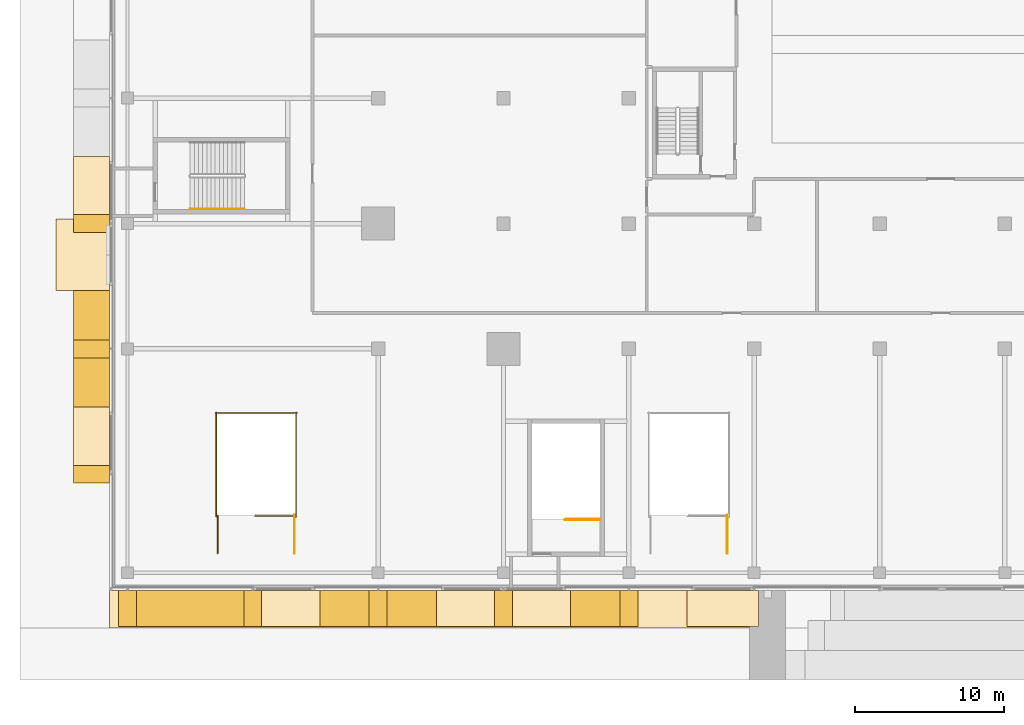
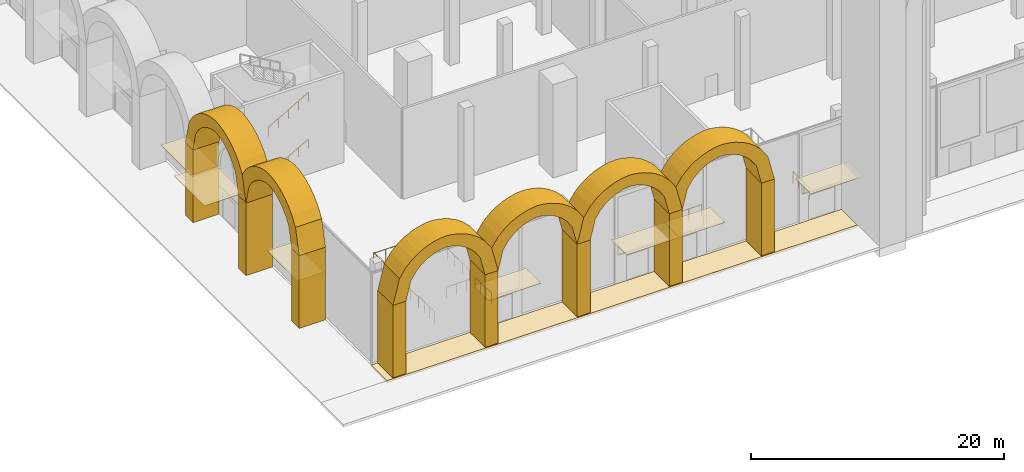
# One storey, part 34 of 43: 22 coverings, 6 railings.
"""IFC4 building model written with IfcOpenShell, lengths in metres."""

from ifc_helpers import new_model, si_unit, direction, frame, origin, origin_2d, place, context, subcontext, project, spatial, polyline, circle, outline, extrude, material, layer, layer_set, type_object, element, save


model = new_model("IFC4")

# Units and contexts
model_context = context("Model", 3, precision=1e-05, world=origin(), true_north=direction((0.0, 1.0)))
body_context = subcontext(model_context, "Body", "Model", "MODEL_VIEW")
ifc_project = project(units=[si_unit("LENGTHUNIT", "METRE"), si_unit("AREAUNIT", "SQUARE_METRE"), si_unit("VOLUMEUNIT", "CUBIC_METRE"), si_unit("PLANEANGLEUNIT", "RADIAN"), si_unit("MASSUNIT", "GRAM", prefix="KILO")], contexts=[model_context])

# Site, building, storey
site_placement = place(None, origin())
site = spatial("IfcSite", under=ifc_project, at=site_placement, CompositionType="ELEMENT")
building_placement = place(site_placement, origin())
building = spatial("IfcBuilding", under=site, at=building_placement, Name="Saffron Gate Tower", CompositionType="ELEMENT")
storey_placement = place(building_placement, origin())
storey = spatial("IfcBuildingStorey", under=building, at=storey_placement, Name="L00", CompositionType="ELEMENT", Elevation=0.0)

# Coverings
ifc_material_1 = material(Name="Cast stone cladding, pale limestone", Category="masonry")
ifc_layer_1 = layer(ifc_material_1, 1.199951171875)
ifc_layer_set_1 = layer_set([ifc_layer_1], Name="AR1 arcade pier")
covering_type_1 = type_object("IfcCoveringType", Name="AR1 arcade pier", PredefinedType="CLADDING", material=ifc_layer_set_1)
covering_1_placement = place(storey_placement, origin())
element("IfcCovering", 1, at=covering_1_placement, inside=storey, type_object=covering_type_1, Name="ARCADE PIER", PredefinedType="CLADDING", context=body_context, shape_type="SweptSolid", body=[
    extrude(outline(polyline([(32.39990234375, 15.60009765625), (33.60009765625, 15.60009765625), (33.60009765625, 13.199951171875), (32.39990234375, 13.199951171875), (32.39990234375, 15.60009765625)])), origin(), (0.0, 0.0, 1.0), 7.0),
])
covering_2_placement = place(storey_placement, origin())
element("IfcCovering", 2, at=covering_2_placement, inside=storey, type_object=covering_type_1, Name="ARCADE PIER", PredefinedType="CLADDING", context=body_context, shape_type="SweptSolid", body=[
    extrude(outline(polyline([(40.800048828125, 15.60009765625), (42.0, 15.60009765625), (42.0, 13.199951171875), (40.800048828125, 13.199951171875), (40.800048828125, 15.60009765625)])), origin(), (0.0, 0.0, 1.0), 7.0),
])
covering_3_placement = place(storey_placement, origin())
element("IfcCovering", 3, at=covering_3_placement, inside=storey, type_object=covering_type_1, Name="ARCADE PIER", PredefinedType="CLADDING", context=body_context, shape_type="SweptSolid", body=[
    extrude(outline(polyline([(49.199951171875, 15.60009765625), (50.39990234375, 15.60009765625), (50.39990234375, 13.199951171875), (49.199951171875, 13.199951171875), (49.199951171875, 15.60009765625)])), origin(), (0.0, 0.0, 1.0), 7.0),
])
covering_4_placement = place(storey_placement, origin())
element("IfcCovering", 4, at=covering_4_placement, inside=storey, type_object=covering_type_1, Name="ARCADE PIER", PredefinedType="CLADDING", context=body_context, shape_type="SweptSolid", body=[
    extrude(outline(polyline([(57.60009765625, 15.60009765625), (58.800048828125, 15.60009765625), (58.800048828125, 13.199951171875), (57.60009765625, 13.199951171875), (57.60009765625, 15.60009765625)])), origin(), (0.0, 0.0, 1.0), 7.0),
])
covering_5_placement = place(storey_placement, origin())
element("IfcCovering", 5, at=covering_5_placement, inside=storey, type_object=covering_type_1, Name="ARCADE PIER", PredefinedType="CLADDING", context=body_context, shape_type="SweptSolid", body=[
    extrude(outline(polyline([(66.0, 15.60009765625), (67.199951171875, 15.60009765625), (67.199951171875, 13.199951171875), (66.0, 13.199951171875), (66.0, 15.60009765625)])), origin(), (0.0, 0.0, 1.0), 7.0),
])
covering_6_placement = place(storey_placement, origin())
element("IfcCovering", 6, at=covering_6_placement, inside=storey, type_object=covering_type_1, Name="ARCADE PIER", PredefinedType="CLADDING", context=body_context, shape_type="SweptSolid", body=[
    extrude(outline(polyline([(31.800048828125, 40.800048828125), (31.800048828125, 39.60009765625), (29.39990234375, 39.60009765625), (29.39990234375, 40.800048828125), (31.800048828125, 40.800048828125)])), origin(), (0.0, 0.0, 1.0), 7.0),
])
covering_7_placement = place(storey_placement, origin())
element("IfcCovering", 7, at=covering_7_placement, inside=storey, type_object=covering_type_1, Name="ARCADE PIER", PredefinedType="CLADDING", context=body_context, shape_type="SweptSolid", body=[
    extrude(outline(polyline([(31.800048828125, 32.39990234375), (31.800048828125, 31.199951171875), (29.39990234375, 31.199951171875), (29.39990234375, 32.39990234375), (31.800048828125, 32.39990234375)])), origin(), (0.0, 0.0, 1.0), 7.0),
])
covering_8_placement = place(storey_placement, origin())
element("IfcCovering", 8, at=covering_8_placement, inside=storey, type_object=covering_type_1, Name="ARCADE PIER", PredefinedType="CLADDING", context=body_context, shape_type="SweptSolid", body=[
    extrude(outline(polyline([(31.800048828125, 24.0), (31.800048828125, 22.800048828125), (29.39990234375, 22.800048828125), (29.39990234375, 24.0), (31.800048828125, 24.0)])), origin(), (0.0, 0.0, 1.0), 7.0),
])
ifc_layer_2 = layer(ifc_material_1, 2.39990234375)
ifc_layer_set_2 = layer_set([ifc_layer_2], Name="AR2 arcade arch")
covering_type_2 = type_object("IfcCoveringType", Name="AR2 arcade arch", PredefinedType="CLADDING", material=ifc_layer_set_2)
covering_9_placement = place(storey_placement, frame((33.60009765625, 13.199951171875, 7.0), z_axis=(0.0, -1.0, 0.0), x_axis=(0.239115028028, 0.0, 0.970991247835)))
element("IfcCovering", 9, at=covering_9_placement, inside=storey, type_object=covering_type_2, Name="ARCADE ARCH", PredefinedType="CLADDING", context=body_context, shape_type="SweptSolid", body=[
    extrude(outline(polyline([(0.0, 0.0), (1.881735228381075, 0.0), (2.646925345116447, -0.2749589311548678), (3.203267002539746, -0.6013486093049456), (3.639420046034304, -0.9573357774965345), (3.990290439579541, -1.334575973358484), (4.272829633319021, -1.7283918862185135), (4.4965783413497675, -2.136685466791156), (4.666988907104446, -2.558114028151451), (4.711758515497717, -3.010482766478218), (4.70324835930731, -3.4762235440027536), (4.63588933971578, -3.956204930829786), (4.500257498010882, -4.452999093065014), (4.279284628664273, -4.970809224560487), (3.938123145388924, -5.518216846097472), (3.3881715804938914, -6.117292273039781), (1.721616526260766, -6.991089572726843), (2.0085428843554953, -8.156231658446298), (4.172102963709491, -7.005410384046232), (4.878523373773681, -6.213673843174959), (5.310371767231315, -5.489301611680691), (5.5839235204239435, -4.804162737112771), (5.743391800658454, -4.146866474174116), (5.811592592998358, -3.512045622805447), (5.800200137231722, -2.897076734489788), (5.715735313457013, -2.29985111702), (5.513273779136993, -1.7319346487703329), (5.237739876808899, -1.1817614513665375), (4.882554348681876, -0.651203158605637), (4.436159710352636, -0.14335733582483634), (3.8756815990652784, 0.3366458753266979), (3.1569068475129147, 0.7774157295518843), (2.1635600793539953, 1.1508212744000663), (-0.28698473578711897, 1.1653791441295704), (0.0, 0.0)])), origin(), (0.0, 0.0, -1.0), 2.39990234375),
])
covering_10_placement = place(storey_placement, frame((42.0, 13.199951171875, 7.0), z_axis=(0.0, -1.0, 0.0), x_axis=(0.239115028028, 0.0, 0.970991247835)))
element("IfcCovering", 10, at=covering_10_placement, inside=storey, type_object=covering_type_2, Name="ARCADE ARCH", PredefinedType="CLADDING", context=body_context, shape_type="SweptSolid", body=[
    extrude(outline(polyline([(0.0, 0.0), (1.881735228381075, 0.0), (2.646925345116447, -0.2749589311548678), (3.203325380232136, -0.6015856677150615), (3.6394784237266933, -0.9575728359066504), (3.990290439579541, -1.334575973358484), (4.272829633319021, -1.7283918862185135), (4.4965783413497675, -2.136685466791156), (4.667047284796835, -2.5583510865615673), (4.7118168931901065, -3.0107198248883336), (4.70324835930731, -3.4762235440027536), (4.63588933971578, -3.956204930829786), (4.500257498010882, -4.452999093065014), (4.2793430063566635, -4.971046282970603), (3.9381815230813135, -5.518453904507588), (3.3881715804938914, -6.117292273039781), (1.721616526260766, -6.991089572726843), (2.0085428843554953, -8.156231658446298), (4.17216134140188, -7.005647442456348), (4.878523373773681, -6.213673843174959), (5.310430144923704, -5.489538670090807), (5.5839235204239435, -4.804162737112771), (5.743391800658454, -4.146866474174116), (5.8116509706907475, -3.512282681215563), (5.800200137231722, -2.897076734489788), (5.715793691149402, -2.300088175430116), (5.513273779136993, -1.7319346487703329), (5.237739876808899, -1.1817614513665375), (4.882612726374266, -0.6514402170157529), (4.436159710352636, -0.14335733582483634), (3.875739976757668, 0.336408816916582), (3.1569068475129147, 0.7774157295518843), (2.1635600793539953, 1.1508212744000663), (-0.2869263580947294, 1.1651420857194545), (0.0, 0.0)])), origin(), (0.0, 0.0, -1.0), 2.39990234375),
])
covering_11_placement = place(storey_placement, frame((50.39990234375, 13.199951171875, 7.0), z_axis=(0.0, -1.0, 0.0), x_axis=(0.239237346473, 0.0, 0.970961117683)))
element("IfcCovering", 11, at=covering_11_placement, inside=storey, type_object=covering_type_2, Name="ARCADE ARCH", PredefinedType="CLADDING", context=body_context, shape_type="SweptSolid", body=[
    extrude(outline(polyline([(0.0, 0.0), (1.8817936210051474, 0.0), (2.6470183695411396, -0.2748625343682679), (3.203401139395791, -0.6011821249482396), (3.6395990248106704, -0.9571143460609401), (3.990458530741687, -1.3340732870785366), (4.273105740640905, -1.7280906550741717), (4.496905881562616, -2.1363560457279465), (4.6673695353069125, -2.5577631363222815), (4.712196130366634, -3.010126231221047), (4.703686238248943, -3.4756310260603724), (4.636446092264326, -3.9558579456660814), (4.500876835137328, -4.452669190141585), (4.279969198526468, -4.970507154521985), (3.9388766774758355, -5.517957749435114), (3.388942177743862, -6.116865400559946), (1.7225556206533161, -6.9911096881612895), (2.0096287549104384, -8.156215619170132), (4.1730438427179735, -7.00512180004296), (4.879364508393852, -6.2132962743460105), (5.31112164584135, -5.488869646622356), (5.58452867913546, -4.80345926583334), (5.743972562952254, -4.1463799701936), (5.812093383376849, -3.5115505322869174), (5.800623457171799, -2.896583084012261), (5.716083398741931, -2.2993681117132256), (5.513491915359386, -1.7312401019492978), (5.237947114862605, -1.1813386702692357), (4.882694752625596, -0.6508251261129545), (4.436236142106971, -0.14303554179797584), (3.875697567000447, 0.3368970594759718), (3.1568088877405365, 0.7778134138152791), (2.163473495362826, 1.150856768073049), (-0.2870731342571223, 1.165105931008841), (0.0, 0.0)])), origin(), (0.0, 0.0, -1.0), 2.39990234375),
])
covering_12_placement = place(storey_placement, frame((58.800048828125, 13.199951171875, 7.0), z_axis=(0.0, -1.0, 0.0), x_axis=(0.239115028028, 0.0, 0.970991247835)))
element("IfcCovering", 12, at=covering_12_placement, inside=storey, type_object=covering_type_2, Name="ARCADE ARCH", PredefinedType="CLADDING", context=body_context, shape_type="SweptSolid", body=[
    extrude(outline(polyline([(0.0, 0.0), (1.881735228381075, 0.0), (2.646925345116447, -0.2749589311548678), (3.203267002539746, -0.6013486093049456), (3.6394784237266933, -0.9575728359066504), (3.990290439579541, -1.334575973358484), (4.272829633319021, -1.7283918862185135), (4.4965783413497675, -2.136685466791156), (4.666988907104446, -2.558114028151451), (4.7118168931901065, -3.0107198248883336), (4.70324835930731, -3.4762235440027536), (4.63588933971578, -3.956204930829786), (4.500257498010882, -4.452999093065014), (4.279284628664273, -4.970809224560487), (3.9381815230813135, -5.518453904507588), (3.3881715804938914, -6.117292273039781), (1.721616526260766, -6.991089572726843), (2.0085428843554953, -8.156231658446298), (4.17216134140188, -7.005647442456348), (4.878523373773681, -6.213673843174959), (5.310371767231315, -5.489301611680691), (5.5839235204239435, -4.804162737112771), (5.743391800658454, -4.146866474174116), (5.8116509706907475, -3.512282681215563), (5.800200137231722, -2.897076734489788), (5.715735313457013, -2.29985111702), (5.513273779136993, -1.7319346487703329), (5.237739876808899, -1.1817614513665375), (4.882612726374266, -0.6514402170157529), (4.436159710352636, -0.14335733582483634), (3.8756815990652784, 0.3366458753266979), (3.1569068475129147, 0.7774157295518843), (2.1635600793539953, 1.1508212744000663), (-0.2869263580947294, 1.1651420857194545), (0.0, 0.0)])), origin(), (0.0, 0.0, -1.0), 2.39990234375),
])
covering_13_placement = place(storey_placement, frame((29.39990234375, 39.60009765625, 7.0), z_axis=(-1.0, 0.0, 0.0), x_axis=(0.0, -0.239237346473, 0.970961117683)))
element("IfcCovering", 13, at=covering_13_placement, inside=storey, type_object=covering_type_2, Name="ARCADE ARCH", PredefinedType="CLADDING", context=body_context, shape_type="SweptSolid", body=[
    extrude(outline(polyline([(0.0, 0.0), (1.8817936210051474, 0.0), (2.6470183695411396, -0.2748625343682679), (3.203401139395791, -0.6011821249482396), (3.6395990248106704, -0.9571143460609401), (3.990458530741687, -1.3340732870785366), (4.273105740640905, -1.7280906550741717), (4.496905881562616, -2.1363560457279465), (4.6673695353069125, -2.5577631363222815), (4.712196130366634, -3.010126231221047), (4.703686238248943, -3.4756310260603724), (4.636446092264326, -3.9558579456660814), (4.500876835137328, -4.452669190141585), (4.279969198526468, -4.970507154521985), (3.9388766774758355, -5.517957749435114), (3.388942177743862, -6.116865400559946), (1.7225556206533161, -6.9911096881612895), (2.0096287549104384, -8.156215619170132), (4.1730438427179735, -7.00512180004296), (4.879364508393852, -6.2132962743460105), (5.31112164584135, -5.488869646622356), (5.58452867913546, -4.80345926583334), (5.743972562952254, -4.1463799701936), (5.812093383376849, -3.5115505322869174), (5.800623457171799, -2.896583084012261), (5.716083398741931, -2.2993681117132256), (5.513491915359386, -1.7312401019492978), (5.237947114862605, -1.1813386702692357), (4.882694752625596, -0.6508251261129545), (4.436236142106971, -0.14303554179797584), (3.875697567000447, 0.3368970594759718), (3.1568088877405365, 0.7778134138152791), (2.163473495362826, 1.150856768073049), (-0.2870731342571223, 1.165105931008841), (0.0, 0.0)])), origin(), (0.0, 0.0, -1.0), 2.39990234375),
])
covering_14_placement = place(storey_placement, frame((29.39990234375, 31.199951171875, 7.0), z_axis=(-1.0, 0.0, 0.0), x_axis=(0.0, -0.239115028028, 0.970991247835)))
element("IfcCovering", 14, at=covering_14_placement, inside=storey, type_object=covering_type_2, Name="ARCADE ARCH", PredefinedType="CLADDING", context=body_context, shape_type="SweptSolid", body=[
    extrude(outline(polyline([(0.0, 0.0), (1.881735228381075, 0.0), (2.646925345116447, -0.2749589311548678), (3.203267002539746, -0.6013486093049456), (3.6394784237266933, -0.9575728359066504), (3.990290439579541, -1.334575973358484), (4.272829633319021, -1.7283918862185135), (4.4965783413497675, -2.136685466791156), (4.666988907104446, -2.558114028151451), (4.7118168931901065, -3.0107198248883336), (4.70324835930731, -3.4762235440027536), (4.63588933971578, -3.956204930829786), (4.500257498010882, -4.452999093065014), (4.279284628664273, -4.970809224560487), (3.9381815230813135, -5.518453904507588), (3.3881715804938914, -6.117292273039781), (1.721616526260766, -6.991089572726843), (2.0085428843554953, -8.156231658446298), (4.17216134140188, -7.005647442456348), (4.878523373773681, -6.213673843174959), (5.310371767231315, -5.489301611680691), (5.5839235204239435, -4.804162737112771), (5.743391800658454, -4.146866474174116), (5.8116509706907475, -3.512282681215563), (5.800200137231722, -2.897076734489788), (5.715735313457013, -2.29985111702), (5.513273779136993, -1.7319346487703329), (5.237739876808899, -1.1817614513665375), (4.882612726374266, -0.6514402170157529), (4.436159710352636, -0.14335733582483634), (3.8756815990652784, 0.3366458753266979), (3.1569068475129147, 0.7774157295518843), (2.1635600793539953, 1.1508212744000663), (-0.2869263580947294, 1.1651420857194545), (0.0, 0.0)])), origin(), (0.0, 0.0, -1.0), 2.39990234375),
])
ifc_material_2 = material(Name="Bronze-anodised aluminium soffit panels", Category="aluminium")
ifc_layer_3 = layer(ifc_material_2, 0.030029296875)
ifc_layer_set_3 = layer_set([ifc_layer_3], Name="CE1 canopy soffit lining")
covering_type_3 = type_object("IfcCoveringType", Name="CE1 canopy soffit lining", PredefinedType="CEILING", material=ifc_layer_set_3)
covering_15_placement = place(storey_placement, frame((0.0, 0.0, 4.3701171875)))
element("IfcCovering", 15, at=covering_15_placement, inside=storey, type_object=covering_type_3, Name="ENTRANCE CANOPY soffit lining", PredefinedType="CEILING", context=body_context, shape_type="SweptSolid", body=[
    extrude(outline(polyline([(53.699951171875, 15.60009765625), (58.5, 15.60009765625), (58.5, 13.199951171875), (53.699951171875, 13.199951171875), (53.699951171875, 15.60009765625)])), origin(), (0.0, 0.0, 1.0), 0.02978515625),
])
covering_16_placement = place(storey_placement, frame((0.0, 0.0, 4.3701171875)))
element("IfcCovering", 16, at=covering_16_placement, inside=storey, type_object=covering_type_3, Name="ENTRANCE CANOPY soffit lining", PredefinedType="CEILING", context=body_context, shape_type="SweptSolid", body=[
    extrude(outline(polyline([(31.800048828125, 40.5), (31.800048828125, 35.699951171875), (28.199951171875, 35.699951171875), (28.199951171875, 40.5), (31.800048828125, 40.5)])), origin(), (0.0, 0.0, 1.0), 0.02978515625),
])
covering_17_placement = place(storey_placement, frame((0.0, 0.0, 4.3701171875)))
element("IfcCovering", 17, at=covering_17_placement, inside=storey, type_object=covering_type_3, Name="ENTRANCE CANOPY soffit lining", PredefinedType="CEILING", context=body_context, shape_type="SweptSolid", body=[
    extrude(outline(polyline([(70.5, 15.60009765625), (75.300048828125, 15.60009765625), (75.300048828125, 13.199951171875), (70.5, 13.199951171875), (70.5, 15.60009765625)])), origin(), (0.0, 0.0, 1.0), 0.02978515625),
])
covering_18_placement = place(storey_placement, frame((0.0, 0.0, 4.3701171875)))
element("IfcCovering", 18, at=covering_18_placement, inside=storey, type_object=covering_type_3, Name="ENTRANCE CANOPY soffit lining", PredefinedType="CEILING", context=body_context, shape_type="SweptSolid", body=[
    extrude(outline(polyline([(31.800048828125, 27.89990234375), (31.800048828125, 23.10009765625), (29.39990234375, 23.10009765625), (29.39990234375, 27.89990234375), (31.800048828125, 27.89990234375)])), origin(), (0.0, 0.0, 1.0), 0.02978515625),
])
covering_19_placement = place(storey_placement, frame((0.0, 0.0, 4.3701171875)))
element("IfcCovering", 19, at=covering_19_placement, inside=storey, type_object=covering_type_3, Name="ENTRANCE CANOPY soffit lining", PredefinedType="CEILING", context=body_context, shape_type="SweptSolid", body=[
    extrude(outline(polyline([(41.10009765625, 15.60009765625), (45.89990234375, 15.60009765625), (45.89990234375, 13.199951171875), (41.10009765625, 13.199951171875), (41.10009765625, 15.60009765625)])), origin(), (0.0, 0.0, 1.0), 0.02978515625),
])
covering_20_placement = place(storey_placement, frame((0.0, 0.0, 4.3701171875)))
element("IfcCovering", 20, at=covering_20_placement, inside=storey, type_object=covering_type_3, Name="ENTRANCE CANOPY soffit lining", PredefinedType="CEILING", context=body_context, shape_type="SweptSolid", body=[
    extrude(outline(polyline([(31.800048828125, 44.699951171875), (31.800048828125, 39.89990234375), (29.39990234375, 39.89990234375), (29.39990234375, 44.699951171875), (31.800048828125, 44.699951171875)])), origin(), (0.0, 0.0, 1.0), 0.02978515625),
])
covering_21_placement = place(storey_placement, frame((0.0, 0.0, 4.3701171875)))
element("IfcCovering", 21, at=covering_21_placement, inside=storey, type_object=covering_type_3, Name="ENTRANCE CANOPY soffit lining", PredefinedType="CEILING", context=body_context, shape_type="SweptSolid", body=[
    extrude(outline(polyline([(57.89990234375, 15.60009765625), (62.699951171875, 15.60009765625), (62.699951171875, 13.199951171875), (57.89990234375, 13.199951171875), (57.89990234375, 15.60009765625)])), origin(), (0.0, 0.0, 1.0), 0.02978515625),
])

# Railings
ifc_material_3 = material(Name="Stainless steel and laminated glass", Category="steel")
railing_type_1 = type_object("IfcRailingType", Name="CR1 Stair guard 1100", PredefinedType="GUARDRAIL", material=ifc_material_3)
railing_1_placement = place(storey_placement, frame((39.050048828125, 18.10009765625, 0.0)))
element("IfcRailing", 22, at=railing_1_placement, inside=storey, type_object=railing_type_1, Name="L00 SS1 top well guard 1", PredefinedType="GUARDRAIL", context=body_context, shape_type="SweptSolid", body=[
    extrude(circle(Radius=0.02392578125, at=origin_2d()), frame((0.0, 0.0, 1.076171875), z_axis=(0.0, 1.0, 0.0), x_axis=(-1.0, 0.0, 0.0)), (0.0, 0.0, 1.0), 2.5498046875),
    extrude(circle(Radius=0.02392578125, at=origin_2d()), frame((0.0, 2.5498046875, 1.076171875), z_axis=(-0.707969631694, -0.706242876495, 0.0), x_axis=(0.706242876495, -0.707969631694, 0.0)), (0.0, 0.0, 1.0), 0.141357421875),
    extrude(circle(Radius=0.02392578125, at=origin_2d()), frame((-0.10009765625, 2.449951171875, 1.076171875), z_axis=(0.0, 1.0, 0.0), x_axis=(-1.0, 0.0, 0.0)), (0.0, 0.0, 1.0), 7.0),
    extrude(circle(Radius=0.02392578125, at=origin_2d()), frame((-0.10009765625, 9.449951171875, 1.076171875), z_axis=(-0.707106781187, -0.707106781187, 0.0), x_axis=(0.707106781187, -0.707106781187, 0.0)), (0.0, 0.0, 1.0), 0.07080078125),
    extrude(circle(Radius=0.02392578125, at=origin_2d()), frame((-0.150146484375, 9.39990234375, 1.076171875), z_axis=(1.0, 0.0, 0.0), x_axis=(0.0, 1.0, 0.0)), (0.0, 0.0, 1.0), 5.4501953125),
    extrude(circle(Radius=0.02392578125, at=origin_2d()), frame((5.300048828125, 9.39990234375, 1.076171875), z_axis=(-0.707106781187, 0.707106781187, 0.0), x_axis=(-0.707106781187, -0.707106781187, 0.0)), (0.0, 0.0, 1.0), 0.07080078125),
    extrude(circle(Radius=0.02392578125, at=origin_2d()), frame((5.25, 9.449951171875, 1.076171875), z_axis=(0.0, -1.0, 0.0), x_axis=(1.0, 0.0, 0.0)), (0.0, 0.0, 1.0), 7.0),
    extrude(circle(Radius=0.02392578125, at=origin_2d()), frame((5.25, 2.449951171875, 1.076171875), z_axis=(-0.707106781187, 0.707106781187, 0.0), x_axis=(-0.707106781187, -0.707106781187, 0.0)), (0.0, 0.0, 1.0), 0.07080078125),
    extrude(circle(Radius=0.02392578125, at=origin_2d()), frame((5.199951171875, 2.5, 1.076171875), z_axis=(-1.0, 0.0, 0.0), x_axis=(0.0, -1.0, 0.0)), (0.0, 0.0, 1.0), 2.699951171875),
    extrude(circle(Radius=0.02099609375, at=origin_2d()), origin(), (0.0, 0.0, 1.0), 1.052001953125),
    extrude(circle(Radius=0.02099609375, at=origin_2d()), frame((0.0, 0.849853515625, 0.0)), (0.0, 0.0, 1.0), 1.052001953125),
    extrude(circle(Radius=0.02099609375, at=origin_2d()), frame((0.0, 1.699951171875, 0.0)), (0.0, 0.0, 1.0), 1.052001953125),
    extrude(circle(Radius=0.02099609375, at=origin_2d()), frame((0.0, 2.5498046875, 0.0)), (0.0, 0.0, 1.0), 1.052001953125),
    extrude(circle(Radius=0.02099609375, at=origin_2d()), frame((-0.10009765625, 2.449951171875, 0.0)), (0.0, 0.0, 1.0), 1.052001953125),
    extrude(circle(Radius=0.02099609375, at=origin_2d()), frame((-0.10009765625, 3.61669921875, 0.0)), (0.0, 0.0, 1.0), 1.052001953125),
    extrude(circle(Radius=0.02099609375, at=origin_2d()), frame((-0.10009765625, 4.783203125, 0.0)), (0.0, 0.0, 1.0), 1.052001953125),
    extrude(circle(Radius=0.02099609375, at=origin_2d()), frame((-0.10009765625, 5.949951171875, 0.0)), (0.0, 0.0, 1.0), 1.052001953125),
    extrude(circle(Radius=0.02099609375, at=origin_2d()), frame((-0.10009765625, 7.11669921875, 0.0)), (0.0, 0.0, 1.0), 1.052001953125),
    extrude(circle(Radius=0.02099609375, at=origin_2d()), frame((-0.10009765625, 8.283203125, 0.0)), (0.0, 0.0, 1.0), 1.052001953125),
    extrude(circle(Radius=0.02099609375, at=origin_2d()), frame((-0.10009765625, 9.449951171875, 0.0)), (0.0, 0.0, 1.0), 1.052001953125),
    extrude(circle(Radius=0.02099609375, at=origin_2d()), frame((-0.150146484375, 9.39990234375, 0.0)), (0.0, 0.0, 1.0), 1.052001953125),
    extrude(circle(Radius=0.02099609375, at=origin_2d()), frame((0.93994140625, 9.39990234375, 0.0)), (0.0, 0.0, 1.0), 1.052001953125),
    extrude(circle(Radius=0.02099609375, at=origin_2d()), frame((2.030029296875, 9.39990234375, 0.0)), (0.0, 0.0, 1.0), 1.052001953125),
    extrude(circle(Radius=0.02099609375, at=origin_2d()), frame((3.119873046875, 9.39990234375, 0.0)), (0.0, 0.0, 1.0), 1.052001953125),
    extrude(circle(Radius=0.02099609375, at=origin_2d()), frame((4.2099609375, 9.39990234375, 0.0)), (0.0, 0.0, 1.0), 1.052001953125),
    extrude(circle(Radius=0.02099609375, at=origin_2d()), frame((5.300048828125, 9.39990234375, 0.0)), (0.0, 0.0, 1.0), 1.052001953125),
    extrude(circle(Radius=0.02099609375, at=origin_2d()), frame((5.25, 9.449951171875, 0.0)), (0.0, 0.0, 1.0), 1.052001953125),
    extrude(circle(Radius=0.02099609375, at=origin_2d()), frame((5.25, 8.283203125, 0.0)), (0.0, 0.0, 1.0), 1.052001953125),
    extrude(circle(Radius=0.02099609375, at=origin_2d()), frame((5.25, 7.11669921875, 0.0)), (0.0, 0.0, 1.0), 1.052001953125),
    extrude(circle(Radius=0.02099609375, at=origin_2d()), frame((5.25, 5.949951171875, 0.0)), (0.0, 0.0, 1.0), 1.052001953125),
    extrude(circle(Radius=0.02099609375, at=origin_2d()), frame((5.25, 4.783203125, 0.0)), (0.0, 0.0, 1.0), 1.052001953125),
    extrude(circle(Radius=0.02099609375, at=origin_2d()), frame((5.25, 3.61669921875, 0.0)), (0.0, 0.0, 1.0), 1.052001953125),
    extrude(circle(Radius=0.02099609375, at=origin_2d()), frame((5.25, 2.449951171875, 0.0)), (0.0, 0.0, 1.0), 1.052001953125),
    extrude(circle(Radius=0.02099609375, at=origin_2d()), frame((5.199951171875, 2.5, 0.0)), (0.0, 0.0, 1.0), 1.052001953125),
    extrude(circle(Radius=0.02099609375, at=origin_2d()), frame((4.300048828125, 2.5, 0.0)), (0.0, 0.0, 1.0), 1.052001953125),
    extrude(circle(Radius=0.02099609375, at=origin_2d()), frame((3.39990234375, 2.5, 0.0)), (0.0, 0.0, 1.0), 1.052001953125),
    extrude(circle(Radius=0.02099609375, at=origin_2d()), frame((2.5, 2.5, 0.0)), (0.0, 0.0, 1.0), 1.052001953125),
])
for number, where, name in (
    (23, (44.199951171875, 18.10009765625, 0.0), "L00 SS1 top well guard 2"),
    (24, (73.199951171875, 18.10009765625, 0.0), "L00 SS2 top well guard 2"),
):
    element("IfcRailing", number, at=place(storey_placement, frame(where)), inside=storey, type_object=railing_type_1, Name=name, PredefinedType="GUARDRAIL", context=body_context, shape_type="SweptSolid", body=[
        extrude(circle(Radius=0.02392578125, at=origin_2d()), frame((0.0, 0.0, 1.076171875), z_axis=(0.0, 1.0, 0.0), x_axis=(-1.0, 0.0, 0.0)), (0.0, 0.0, 1.0), 2.5498046875),
        extrude(circle(Radius=0.02099609375, at=origin_2d()), origin(), (0.0, 0.0, 1.0), 1.052001953125),
        extrude(circle(Radius=0.02099609375, at=origin_2d()), frame((0.0, 0.849853515625, 0.0)), (0.0, 0.0, 1.0), 1.052001953125),
        extrude(circle(Radius=0.02099609375, at=origin_2d()), frame((0.0, 1.699951171875, 0.0)), (0.0, 0.0, 1.0), 1.052001953125),
        extrude(circle(Radius=0.02099609375, at=origin_2d()), frame((0.0, 2.5498046875, 0.0)), (0.0, 0.0, 1.0), 1.052001953125),
    ])
railing_2_placement = place(storey_placement, frame((64.675048828125, 20.35009765625, 0.0)))
element("IfcRailing", 25, at=railing_2_placement, inside=storey, type_object=railing_type_1, Name="L00 ST-L top well guard 1", PredefinedType="GUARDRAIL", context=body_context, shape_type="SweptSolid", body=[
    extrude(circle(Radius=0.02392578125, at=origin_2d()), frame((0.0, 0.0, 1.076171875), z_axis=(-1.0, 0.0, 0.0), x_axis=(0.0, -1.0, 0.0)), (0.0, 0.0, 1.0), 2.35009765625),
    extrude(circle(Radius=0.02099609375, at=origin_2d()), origin(), (0.0, 0.0, 1.0), 1.052001953125),
    extrude(circle(Radius=0.02099609375, at=origin_2d()), frame((-1.175048828125, 0.0, 0.0)), (0.0, 0.0, 1.0), 1.052001953125),
    extrude(circle(Radius=0.02099609375, at=origin_2d()), frame((-2.35009765625, 0.0, 0.0)), (0.0, 0.0, 1.0), 1.052001953125),
])
ifc_material_4 = material(Name="Stainless steel", Category="steel")
railing_type_2 = type_object("IfcRailingType", Name="CR2 Stair handrail 900", PredefinedType="HANDRAIL", material=ifc_material_4)
for number, where, name in (
    (26, (37.199951171875, 41.175048828125, 0.16064453125), "L00 ST-H stair handrail 1"),
    (27, (37.199951171875, 41.175048828125, 4.66064453125), "L00 ST-H stair handrail 3"),
):
    element("IfcRailing", number, at=place(storey_placement, frame(where)), inside=storey, type_object=railing_type_2, Name=name, PredefinedType="HANDRAIL", context=body_context, shape_type="SweptSolid", body=[
        extrude(circle(Radius=0.02392578125, at=origin_2d()), frame((0.0, 0.0, 0.8759765625), z_axis=(0.867289372828, 0.0, 0.497804322781), x_axis=(0.0, 1.0, 0.0)), (0.0, 0.0, 1.0), 4.197021484375),
        extrude(circle(Radius=0.02099609375, at=origin_2d()), origin(), (0.0, 0.0, 1.0), 0.851806640625),
        extrude(circle(Radius=0.02099609375, at=origin_2d()), frame((0.91015625, 0.0, 0.5224609375)), (0.0, 0.0, 1.0), 0.851806640625),
        extrude(circle(Radius=0.02099609375, at=origin_2d()), frame((1.820068359375, 0.0, 1.044677734375)), (0.0, 0.0, 1.0), 0.851806640625),
        extrude(circle(Radius=0.02099609375, at=origin_2d()), frame((2.72998046875, 0.0, 1.56689453125)), (0.0, 0.0, 1.0), 0.851806640625),
        extrude(circle(Radius=0.02099609375, at=origin_2d()), frame((3.64013671875, 0.0, 2.08935546875)), (0.0, 0.0, 1.0), 0.851806640625),
    ])

# Covering
ifc_material_5 = material(Name="Granite paving on compacted base", Category="masonry")
ifc_layer_4 = layer(ifc_material_5, 0.199951171875)
ifc_layer_set_4 = layer_set([ifc_layer_4], Name="PV1 granite paving")
covering_type_4 = type_object("IfcCoveringType", Name="PV1 granite paving", PredefinedType="FLOORING", material=ifc_layer_set_4)
covering_22_placement = place(storey_placement, frame((0.0, 0.0, -0.199951171875)))
element("IfcCovering", 28, at=covering_22_placement, inside=storey, type_object=covering_type_4, Name="PAVING footway along the gate front", PredefinedType="FLOORING", context=body_context, shape_type="SweptSolid", body=[
    extrude(outline(polyline([(31.800048828125, 15.60009765625), (74.699951171875, 15.60009765625), (74.699951171875, 13.10009765625), (31.800048828125, 13.10009765625), (31.800048828125, 15.60009765625)])), origin(), (0.0, 0.0, 1.0), 0.199951171875),
])

save(model, "model.ifc")
